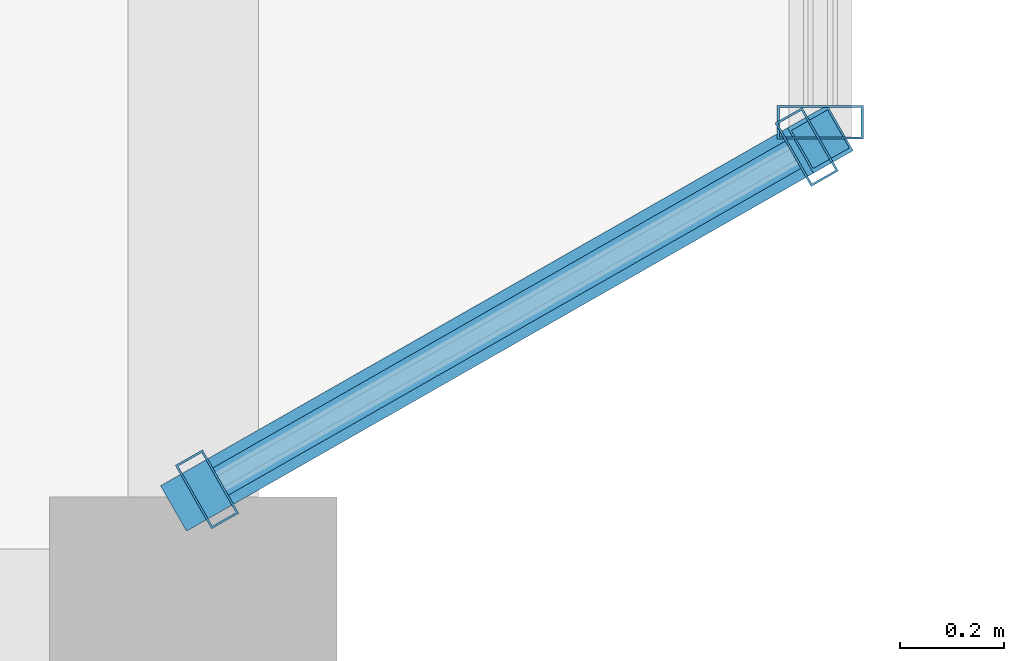
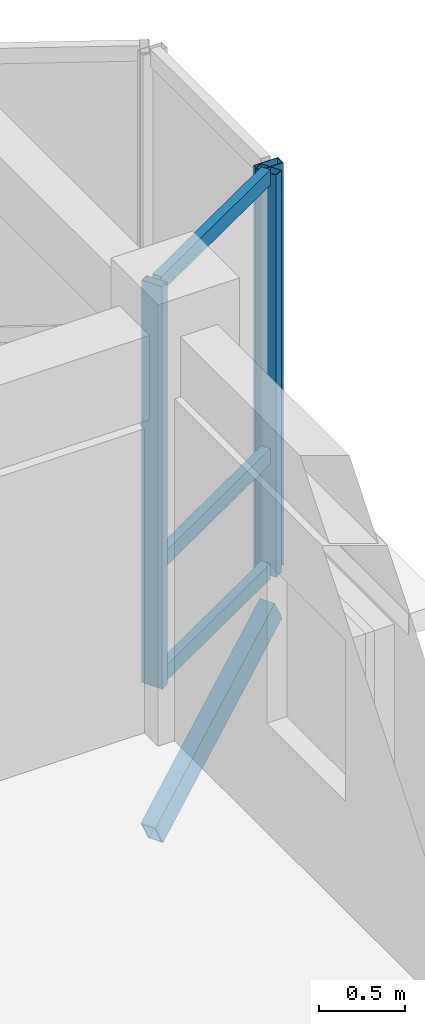
# One storey, part 8 of 75: 7 members, 2 elements without a shape of their own.
"""IFC4 building model written with IfcOpenShell, lengths in metres."""

from ifc_helpers import new_model, si_unit, direction, frame, origin, origin_2d, place, context, subcontext, project, spatial, hollow_rectangle, extrude, material, layer, layer_set, material_profile, profile_set, type_object, element, aggregate, save


model = new_model("IFC4")

# Units and contexts
model_context = context("Model", 3, precision=1e-05, world=origin(), true_north=direction((0.0, 1.0)))
body_context = subcontext(model_context, "Body", "Model", "MODEL_VIEW")
ifc_project = project(units=[si_unit("LENGTHUNIT", "METRE"), si_unit("AREAUNIT", "SQUARE_METRE"), si_unit("VOLUMEUNIT", "CUBIC_METRE"), si_unit("PLANEANGLEUNIT", "RADIAN"), si_unit("MASSUNIT", "GRAM", prefix="KILO"), si_unit("THERMODYNAMICTEMPERATUREUNIT", "KELVIN"), si_unit("POWERUNIT", "WATT")], contexts=[model_context])

# Site, building, storey
site_placement = place(None, origin())
site = spatial("IfcSite", under=ifc_project, at=site_placement, CompositionType="ELEMENT")
building_placement = place(site_placement, origin())
building = spatial("IfcBuilding", under=site, at=building_placement, Name="Tavuni Mirador Residences", CompositionType="ELEMENT")
storey_placement = place(building_placement, frame((0.0, 0.0, 20.25)))
storey = spatial("IfcBuildingStorey", under=building, at=storey_placement, Name="L06", CompositionType="ELEMENT", Elevation=20.25)

# Curtain wall, members
ifc_material_1 = material(Name="Anodised aluminium", Category="aluminium")
ifc_layer_1 = layer(ifc_material_1, 0.1650390625, Name="Anodised aluminium", Category="aluminium")
ifc_layer_set_1 = layer_set([ifc_layer_1], Name="Anodised aluminium")
curtain_wall_type_1 = type_object("IfcCurtainWallType", Name="CWT-MIR-A", PredefinedType="NOTDEFINED", material=ifc_layer_set_1)
curtain_wall_1_placement = place(storey_placement, origin())
curtain_wall_1 = element("IfcCurtainWall", 1, at=curtain_wall_1_placement, inside=storey, type_object=curtain_wall_type_1, Name="CW-MIR-A-E2-L06-M1", PredefinedType="NOTDEFINED")
ifc_material_profile_1 = material_profile(ifc_material_1, hollow_rectangle(XDim=0.06005859375, YDim=0.139892578125, WallThickness=0.00390625, at=origin_2d()), Name="ALU 60x140x4.0", Category="aluminium")
ifc_profile_set_1 = profile_set([ifc_material_profile_1], Name="Anodised aluminium")
member_type_1 = type_object("IfcMemberType", Name="CWM-140", PredefinedType="MULLION", material=ifc_profile_set_1)
member_1_placement = place(storey_placement, frame((32.426025390625, 21.889892578125, 0.0), z_axis=(0.0, 0.0, 1.0), x_axis=(0.868465738194, 0.495749192217, 0.0)))
member_1 = element("IfcMember", 2, at=member_1_placement, type_object=member_type_1, Name="CW-01 mullion 1", PredefinedType="MULLION", context=body_context, shape_type="SweptSolid", body=[
    extrude(hollow_rectangle(XDim=0.06005859375, YDim=0.139892578125, WallThickness=0.00390625, at=origin_2d()), origin(), (0.0, 0.0, 1.0), 2.8701171875),
])
member_2_placement = place(storey_placement, frame((33.573974609375, 22.545166015625, 0.0), z_axis=(0.0, 0.0, 1.0), x_axis=(0.868465738194, 0.495749192217, 0.0)))
member_2 = element("IfcMember", 3, at=member_2_placement, type_object=member_type_1, Name="CW-01 mullion 2", PredefinedType="MULLION", context=body_context, shape_type="SweptSolid", body=[
    extrude(hollow_rectangle(XDim=0.06005859375, YDim=0.139892578125, WallThickness=0.00390625, at=origin_2d()), origin(), (0.0, 0.0, 1.0), 2.8701171875),
])

# Curtain wall, member
ifc_layer_2 = layer(ifc_material_1, 0.14990234375, Name="Anodised aluminium", Category="aluminium")
ifc_layer_set_2 = layer_set([ifc_layer_2], Name="Anodised aluminium")
curtain_wall_type_2 = type_object("IfcCurtainWallType", Name="CWT-MIR-B", PredefinedType="NOTDEFINED", material=ifc_layer_set_2)
curtain_wall_2_placement = place(storey_placement, origin())
curtain_wall_2 = element("IfcCurtainWall", 4, at=curtain_wall_2_placement, inside=storey, type_object=curtain_wall_type_2, Name="CW-MIR-A-E2-L06-MF", PredefinedType="NOTDEFINED")
ifc_material_profile_2 = material_profile(ifc_material_1, hollow_rectangle(XDim=0.06494140625, YDim=0.1650390625, WallThickness=0.00439453125, at=origin_2d()), Name="ALU 65x165x4.5", Category="aluminium")
ifc_profile_set_2 = profile_set([ifc_material_profile_2], Name="Anodised aluminium")
member_type_2 = type_object("IfcMemberType", Name="CWM-165", PredefinedType="MULLION", material=ifc_profile_set_2)
member_3_placement = place(storey_placement, frame((33.60009765625, 22.592529296875, 0.0), z_axis=(0.0, 0.0, 1.0), x_axis=(0.0, 1.0, 0.0)))
member_3 = element("IfcMember", 5, at=member_3_placement, type_object=member_type_2, Name="CW-02 mullion 1", PredefinedType="MULLION", context=body_context, shape_type="SweptSolid", body=[
    extrude(hollow_rectangle(XDim=0.06494140625, YDim=0.1650390625, WallThickness=0.00439453125, at=origin_2d()), origin(), (0.0, 0.0, 1.0), 2.8701171875),
])
aggregate(curtain_wall_2, [member_3])

# Member
ifc_material_profile_3 = material_profile(ifc_material_1, hollow_rectangle(XDim=0.06005859375, YDim=0.110107421875, WallThickness=0.00390625, at=origin_2d()), Name="ALU 60x110x4.0", Category="aluminium")
ifc_profile_set_3 = profile_set([ifc_material_profile_3], Name="Anodised aluminium")
member_type_3 = type_object("IfcMemberType", Name="CWT-110", PredefinedType="USERDEFINED", material=ifc_profile_set_3)
member_4_placement = place(storey_placement, frame((32.4521484375, 21.90478515625, 0.030029296875), z_axis=(0.868457406816, 0.495763787046, 0.0), x_axis=(-0.495763787046, 0.868457406816, 0.0)))
member_4 = element("IfcMember", 6, at=member_4_placement, type_object=member_type_3, Name="CW-01 transom 1.1", ObjectType="TRANSOM", PredefinedType="USERDEFINED", context=body_context, shape_type="SweptSolid", body=[
    extrude(hollow_rectangle(XDim=0.06005859375, YDim=0.110107421875, WallThickness=0.00390625, at=origin_2d()), origin(), (0.0, 0.0, 1.0), 1.26171875),
])

member_5_placement = place(storey_placement, frame((32.4521484375, 21.90478515625, 0.85009765625), z_axis=(0.868457406816, 0.495763787046, 0.0), x_axis=(-0.495763787046, 0.868457406816, 0.0)))
member_5 = element("IfcMember", 7, at=member_5_placement, type_object=member_type_3, Name="CW-01 transom 1.2", ObjectType="TRANSOM", PredefinedType="USERDEFINED", context=body_context, shape_type="SweptSolid", body=[
    extrude(hollow_rectangle(XDim=0.06005859375, YDim=0.110107421875, WallThickness=0.00390625, at=origin_2d()), origin(), (0.0, 0.0, 1.0), 1.26171875),
])

member_6_placement = place(storey_placement, frame((32.4521484375, 21.90478515625, 2.840087890625), z_axis=(0.868457406816, 0.495763787046, 0.0), x_axis=(-0.495763787046, 0.868457406816, 0.0)))
member_6 = element("IfcMember", 8, at=member_6_placement, type_object=member_type_3, Name="CW-01 transom 1.3", ObjectType="TRANSOM", PredefinedType="USERDEFINED", context=body_context, shape_type="SweptSolid", body=[
    extrude(hollow_rectangle(XDim=0.06005859375, YDim=0.110107421875, WallThickness=0.00390625, at=origin_2d()), origin(), (0.0, 0.0, 1.0), 1.26171875),
])

aggregate(curtain_wall_1, [member_1, member_2, member_4, member_5, member_6])

ifc_material_2 = material(Name="Structural steel S355", Category="steel")
ifc_material_profile_4 = material_profile(ifc_material_2, hollow_rectangle(XDim=0.10009765625, YDim=0.179931640625, WallThickness=0.008056640625, at=origin_2d()), Name="RHS 180x100x8.0", Category="steel")
ifc_profile_set_4 = profile_set([ifc_material_profile_4], Name="Structural steel S355")
member_type_4 = type_object("IfcMemberType", Name="MT-BR-RHS180", PredefinedType="BRACE", material=ifc_profile_set_4)
member_7_placement = place(storey_placement, frame((32.39990234375, 21.875, -1.050048828125), z_axis=(0.758659970715, 0.433034962942, 0.486739940528), x_axis=(-0.495720321961, 0.868482217662, 0.0)))
element("IfcMember", 9, at=member_7_placement, inside=storey, type_object=member_type_4, Name="MBRK-MIR-A-E2-L06-1", PredefinedType="BRACE", context=body_context, shape_type="SweptSolid", body=[
    extrude(hollow_rectangle(XDim=0.10009765625, YDim=0.179931640625, WallThickness=0.008056640625, at=origin_2d()), origin(), (0.0, 0.0, 1.0), 1.58203125),
])

save(model, "model.ifc")
